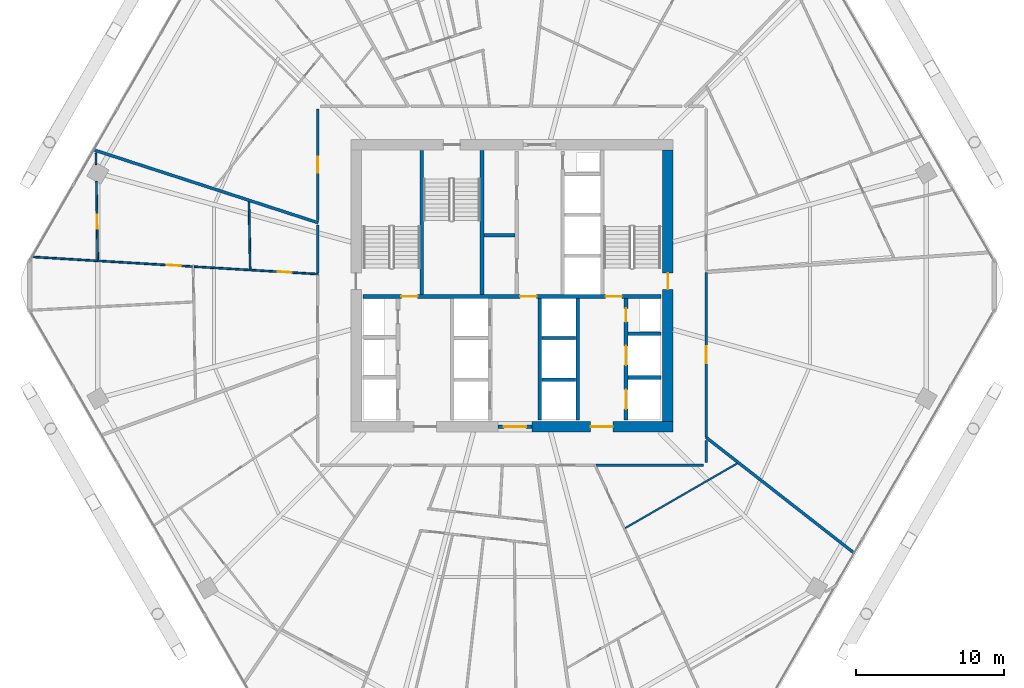
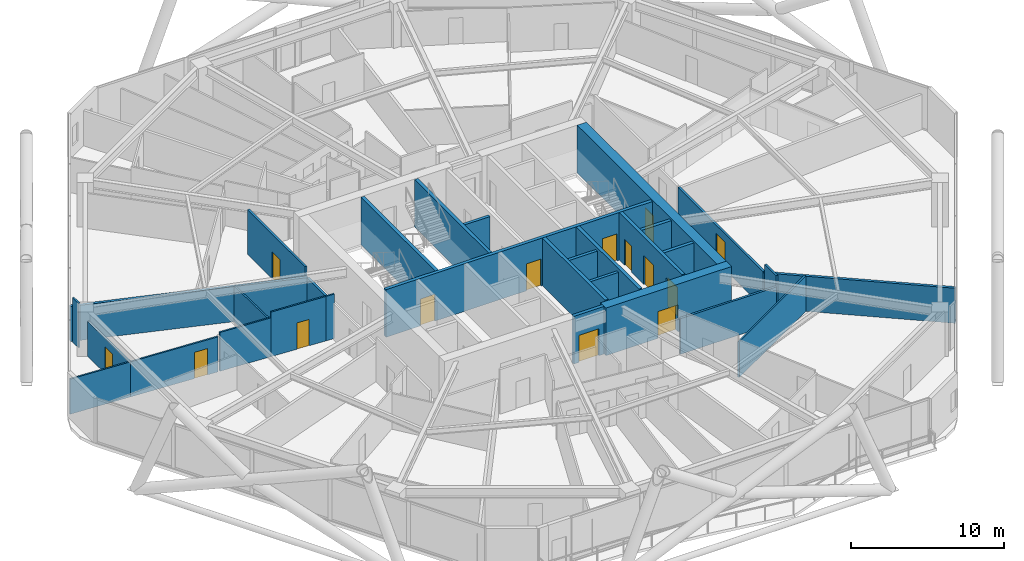
# One storey, part 29 of 35: 30 walls, 14 doors, 14 openings.
"""IFC4 building model written with IfcOpenShell, lengths in metres."""

from ifc_helpers import new_model, si_unit, direction, frame, frame_2d, origin, place, context, subcontext, project, spatial, rectangle, extrude, material, layer, layer_set, type_object, element, fill, save


model = new_model("IFC4")

# Units and contexts
model_context = context("Model", 3, precision=1e-05, world=origin(), true_north=direction((0.0, 1.0)))
body_context = subcontext(model_context, "Body", "Model", "MODEL_VIEW")
ifc_project = project(units=[si_unit("LENGTHUNIT", "METRE"), si_unit("AREAUNIT", "SQUARE_METRE"), si_unit("VOLUMEUNIT", "CUBIC_METRE"), si_unit("PLANEANGLEUNIT", "RADIAN"), si_unit("MASSUNIT", "GRAM", prefix="KILO")], contexts=[model_context])

# Site, building, storey
site_placement = place(None, origin())
site = spatial("IfcSite", under=ifc_project, at=site_placement, CompositionType="ELEMENT")
building_placement = place(site_placement, origin())
building = spatial("IfcBuilding", under=site, at=building_placement, Name="Zuhravey Tower", CompositionType="ELEMENT")
storey_placement = place(building_placement, frame((0.0, 0.0, 92.39990234375)))
storey = spatial("IfcBuildingStorey", under=building, at=storey_placement, Name="L22", CompositionType="ELEMENT", Elevation=92.39990234375)

# Wall, opening, door
ifc_material_1 = material(Name="Concrete C60/75", Category="concrete")
ifc_layer_1 = layer(ifc_material_1, 0.699951171875)
ifc_layer_set_1 = layer_set([ifc_layer_1], Name="Concrete C60/75")
wall_type_1 = type_object("IfcWallType", Name="Core Shear Wall 700", PredefinedType="SHEAR", material=ifc_layer_set_1)
wall_1_placement = place(storey_placement, frame((37.35009765625, 22.5, 0.0), z_axis=(0.0, 0.0, 1.0), x_axis=(1.0, 0.0, 0.0)))
wall_1 = element("IfcWall", 1, at=wall_1_placement, inside=storey, type_object=wall_type_1, Name="L22 South-East Core Shear Wall CW70", PredefinedType="SHEAR", context=body_context, shape_type="SweptSolid", body=[
    extrude(rectangle(XDim=9.5, YDim=0.699951171875, at=frame_2d((4.75, 0.0))), origin(), (0.0, 0.0, 1.0), 3.800048828125),
])
opening_1_placement = place(wall_1_placement, frame((3.949951171875, 0.0, 0.0)))
opening_1 = element("IfcOpeningElement", 2, at=opening_1_placement, cuts=wall_1, Name="Opening FFD1", PredefinedType="OPENING", context=body_context, shape_type="SweptSolid", body=[
    extrude(rectangle(XDim=1.5, YDim=2.14990234375, at=frame_2d((0.75, 1.074951171875))), frame((0.0, 0.362060546875, 0.0), z_axis=(0.0, -1.0, 0.0), x_axis=(1.0, 0.0, 0.0)), (0.0, 0.0, 1.0), 0.723876953125),
])
ifc_material_2 = material(Name="Galvanised fire-rated steel leaf", Category="steel")
door_type_1 = type_object("IfcDoorType", Name="Firefighting Lobby Double Door 1500x2150", OperationType="DOUBLE_DOOR_SINGLE_SWING", PredefinedType="DOOR", material=ifc_material_2)
door_1_placement = place(opening_1_placement, origin())
door_1 = element("IfcDoor", 3, at=door_1_placement, inside=storey, type_object=door_type_1, Name="L22 Firefighting Lobby East Door", OperationType="DOUBLE_DOOR_SINGLE_SWING", OverallHeight=2.14990234375, OverallWidth=1.5, PredefinedType="DOOR", context=body_context, shape_type="SweptSolid", body=[
    extrude(rectangle(XDim=1.5, YDim=2.14990234375, at=frame_2d((0.75, 1.074951171875))), frame((0.0, 0.02490234375, 0.0), z_axis=(0.0, -1.0, 0.0), x_axis=(1.0, 0.0, 0.0)), (0.0, 0.0, 1.0), 0.050048828125),
])
fill(opening_1, door_1)

wall_2_placement = place(storey_placement, frame((46.5, 22.85009765625, 0.0), z_axis=(0.0, 0.0, 1.0), x_axis=(0.0, 1.0, 0.0)))
wall_2 = element("IfcWall", 4, at=wall_2_placement, inside=storey, type_object=wall_type_1, Name="L22 East Core Shear Wall CW70", PredefinedType="SHEAR", context=body_context, shape_type="SweptSolid", body=[
    extrude(rectangle(XDim=18.2998046875, YDim=0.699951171875, at=frame_2d((9.14990234375, 0.0))), origin(), (0.0, 0.0, 1.0), 3.800048828125),
])
opening_2_placement = place(wall_2_placement, frame((8.89990234375, 0.0, 0.0)))
opening_2 = element("IfcOpeningElement", 5, at=opening_2_placement, cuts=wall_2, Name="Opening STD1", PredefinedType="OPENING", context=body_context, shape_type="SweptSolid", body=[
    extrude(rectangle(XDim=1.10009765625, YDim=2.14990234375, at=frame_2d((0.550048828125, 1.074951171875))), frame((0.0, 0.362060546875, 0.0), z_axis=(0.0, -1.0, 0.0), x_axis=(1.0, 0.0, 0.0)), (0.0, 0.0, 1.0), 0.723876953125),
])
door_type_2 = type_object("IfcDoorType", Name="Protected Stair Fire Door 1100x2150", OperationType="NOTDEFINED", PredefinedType="USERDEFINED", material=ifc_material_2)
door_2_placement = place(opening_2_placement, origin())
door_2 = element("IfcDoor", 6, at=door_2_placement, inside=storey, type_object=door_type_2, Name="L22 Stair ST2 Door", ObjectType="EXITDOOR", OperationType="SINGLE_SWING_LEFT", OverallHeight=2.14990234375, OverallWidth=1.10009765625, PredefinedType="USERDEFINED", context=body_context, shape_type="SweptSolid", body=[
    extrude(rectangle(XDim=1.10009765625, YDim=2.14990234375, at=frame_2d((0.550048828125, 1.074951171875))), frame((0.0, 0.02490234375, 0.0), z_axis=(0.0, -1.0, 0.0), x_axis=(1.0, 0.0, 0.0)), (0.0, 0.0, 1.0), 0.050048828125),
])
fill(opening_2, door_2)

ifc_material_3 = material(Name="Gypsum fire-rated stud partition")
ifc_layer_2 = layer(ifc_material_3, 0.159912109375)
ifc_layer_set_2 = layer_set([ifc_layer_2], Name="Gypsum fire-rated stud partition")
wall_type_2 = type_object("IfcWallType", Name="Corridor Fire Partition 160", PredefinedType="PARTITIONING", material=ifc_layer_set_2)
wall_3_placement = place(storey_placement, frame((22.919921875, 43.89990234375, 0.0), z_axis=(0.0, 0.0, 1.0), x_axis=(0.0, -1.0, 0.0)))
wall_3 = element("IfcWall", 7, at=wall_3_placement, inside=storey, type_object=wall_type_2, Name="L22 IW16 Partition 040", PredefinedType="PARTITIONING", context=body_context, shape_type="SweptSolid", body=[
    extrude(rectangle(XDim=7.502197265625, YDim=0.159912109375, at=frame_2d((3.7509765625, 0.0))), origin(), (0.0, 0.0, 1.0), 3.550048828125),
])
opening_3_placement = place(wall_3_placement, frame((3.226318359375, 0.0, 0.0)))
opening_3 = element("IfcOpeningElement", 8, at=opening_3_placement, cuts=wall_3, Name="Opening APD1", PredefinedType="OPENING", context=body_context, shape_type="SweptSolid", body=[
    extrude(rectangle(XDim=1.050048828125, YDim=2.14990234375, at=frame_2d((0.52490234375, 1.074951171875))), frame((0.0, 0.092041015625, 0.0), z_axis=(0.0, -1.0, 0.0), x_axis=(1.0, 0.0, 0.0)), (0.0, 0.0, 1.0), 0.183837890625),
])
ifc_material_4 = material(Name="Solid-core oak fire-rated leaf")
door_type_3 = type_object("IfcDoorType", Name="Apartment Entrance Fire Door 1050x2150", OperationType="NOTDEFINED", PredefinedType="DOOR", material=ifc_material_4)
door_3_placement = place(opening_3_placement, frame((1.050048828125, 0.0, 0.0), z_axis=(0.0, 0.0, 1.0), x_axis=(-1.0, 0.0, 0.0)))
door_3 = element("IfcDoor", 9, at=door_3_placement, inside=storey, type_object=door_type_3, Name="L22 Door 040.1", OperationType="SINGLE_SWING_RIGHT", OverallHeight=2.14990234375, OverallWidth=1.050048828125, PredefinedType="DOOR", context=body_context, shape_type="SweptSolid", body=[
    extrude(rectangle(XDim=1.050048828125, YDim=2.14990234375, at=frame_2d((0.52490234375, 1.074951171875))), frame((0.0, 0.02490234375, 0.0), z_axis=(0.0, -1.0, 0.0), x_axis=(1.0, 0.0, 0.0)), (0.0, 0.0, 1.0), 0.050048828125),
])
fill(opening_3, door_3)

wall_4_placement = place(storey_placement, frame((49.080078125, 21.80615234375, 0.0), z_axis=(0.0, 0.0, 1.0), x_axis=(0.0, 1.0, 0.0)))
wall_4 = element("IfcWall", 10, at=wall_4_placement, inside=storey, type_object=wall_type_2, Name="L22 IW16 Partition 061", PredefinedType="PARTITIONING", context=body_context, shape_type="SweptSolid", body=[
    extrude(rectangle(XDim=11.08837890625, YDim=0.159912109375, at=frame_2d((5.544189453125, 0.0))), origin(), (0.0, 0.0, 1.0), 2.85009765625),
])
opening_4_placement = place(wall_4_placement, frame((4.96923828125, 0.0, 0.0)))
opening_4 = element("IfcOpeningElement", 11, at=opening_4_placement, cuts=wall_4, Name="Opening CLD1", PredefinedType="OPENING", context=body_context, shape_type="SweptSolid", body=[
    extrude(rectangle(XDim=1.14990234375, YDim=2.199951171875, at=frame_2d((0.574951171875, 1.10009765625))), frame((0.0, 0.092041015625, 0.0), z_axis=(0.0, -1.0, 0.0), x_axis=(1.0, 0.0, 0.0)), (0.0, 0.0, 1.0), 0.183837890625),
])
ifc_material_5 = material(Name="Acoustic timber leaf with vision lite", Category="wood")
door_type_4 = type_object("IfcDoorType", Name="Classroom Acoustic Door 1150x2200", OperationType="NOTDEFINED", PredefinedType="DOOR", material=ifc_material_5)
door_4_placement = place(opening_4_placement, frame((1.14990234375, 0.0, 0.0), z_axis=(0.0, 0.0, 1.0), x_axis=(-1.0, 0.0, 0.0)))
door_4 = element("IfcDoor", 12, at=door_4_placement, inside=storey, type_object=door_type_4, Name="L22 Door 061.1", OperationType="SINGLE_SWING_LEFT", OverallHeight=2.199951171875, OverallWidth=1.14990234375, PredefinedType="DOOR", context=body_context, shape_type="SweptSolid", body=[
    extrude(rectangle(XDim=1.14990234375, YDim=2.199951171875, at=frame_2d((0.574951171875, 1.10009765625))), frame((0.0, 0.02490234375, 0.0), z_axis=(0.0, -1.0, 0.0), x_axis=(1.0, 0.0, 0.0)), (0.0, 0.0, 1.0), 0.050048828125),
])
fill(opening_4, door_4)

# Walls
wall_5_placement = place(storey_placement, frame((22.919921875, 36.10302734375, 0.0), z_axis=(0.0, 0.0, 1.0), x_axis=(0.0, -1.0, 0.0)))
element("IfcWall", 13, at=wall_5_placement, inside=storey, type_object=wall_type_2, Name="L22 IW16 Partition 126", PredefinedType="PARTITIONING", context=body_context, shape_type="SweptSolid", body=[
    extrude(rectangle(XDim=3.24853515625, YDim=0.159912109375, at=frame_2d((1.624267578125, 0.0))), origin(), (0.0, 0.0, 1.0), 2.85009765625),
])
wall_6_placement = place(storey_placement, frame((41.6669921875, 19.919921875, 0.0), z_axis=(0.0, 0.0, 1.0), x_axis=(1.0, 0.0, 0.0)))
element("IfcWall", 14, at=wall_6_placement, inside=storey, type_object=wall_type_2, Name="L22 IW16 Partition 131", PredefinedType="PARTITIONING", context=body_context, shape_type="SweptSolid", body=[
    extrude(rectangle(XDim=7.23291015625, YDim=0.159912109375, at=frame_2d((3.616455078125, 0.0))), origin(), (0.0, 0.0, 1.0), 2.85009765625),
])
wall_7_placement = place(storey_placement, frame((49.080078125, 20.10009765625, 0.0), z_axis=(0.0, 0.0, 1.0), x_axis=(0.0, 1.0, 0.0)))
element("IfcWall", 15, at=wall_7_placement, inside=storey, type_object=wall_type_2, Name="L22 IW16 Partition 132", PredefinedType="PARTITIONING", context=body_context, shape_type="SweptSolid", body=[
    extrude(rectangle(XDim=1.469970703125, YDim=0.159912109375, at=frame_2d((0.73486328125, 0.0))), origin(), (0.0, 0.0, 1.0), 3.550048828125),
])

# Wall, opening, door
ifc_material_6 = material(Name="Concrete C50/60", Category="concrete")
ifc_layer_3 = layer(ifc_material_6, 0.25)
ifc_layer_set_3 = layer_set([ifc_layer_3], Name="Concrete C50/60")
wall_type_3 = type_object("IfcWallType", Name="Firefighting Shaft & Stair Wall 250", PredefinedType="SOLIDWALL", material=ifc_layer_set_3)
wall_8_placement = place(storey_placement, frame((35.06005859375, 22.5, 0.0), z_axis=(0.0, 0.0, 1.0), x_axis=(1.0, 0.0, 0.0)))
wall_8 = element("IfcWall", 16, at=wall_8_placement, inside=storey, type_object=wall_type_3, Name="L22 FW25 Shaft Wall 001", PredefinedType="SOLIDWALL", context=body_context, shape_type="SweptSolid", body=[
    extrude(rectangle(XDim=2.280029296875, YDim=0.25, at=frame_2d((1.14013671875, 0.0))), origin(), (0.0, 0.0, 1.0), 3.800048828125),
])
opening_5_placement = place(wall_8_placement, frame((0.389892578125, 0.0, 0.0)))
opening_5 = element("IfcOpeningElement", 17, at=opening_5_placement, cuts=wall_8, Name="Opening FFD1", PredefinedType="OPENING", context=body_context, shape_type="SweptSolid", body=[
    extrude(rectangle(XDim=1.5, YDim=2.14990234375, at=frame_2d((0.75, 1.074951171875))), frame((0.0, 0.136962890625, 0.0), z_axis=(0.0, -1.0, 0.0), x_axis=(1.0, 0.0, 0.0)), (0.0, 0.0, 1.0), 0.27392578125),
])
door_5_placement = place(opening_5_placement, frame((1.5, 0.0, 0.0), z_axis=(0.0, 0.0, 1.0), x_axis=(-1.0, 0.0, 0.0)))
door_5 = element("IfcDoor", 18, at=door_5_placement, inside=storey, type_object=door_type_1, Name="L22 South Lift Lobby Exit Door", OperationType="DOUBLE_DOOR_SINGLE_SWING", OverallHeight=2.14990234375, OverallWidth=1.5, PredefinedType="DOOR", context=body_context, shape_type="SweptSolid", body=[
    extrude(rectangle(XDim=1.5, YDim=2.14990234375, at=frame_2d((0.75, 1.074951171875))), frame((0.0, 0.02490234375, 0.0), z_axis=(0.0, -1.0, 0.0), x_axis=(1.0, 0.0, 0.0)), (0.0, 0.0, 1.0), 0.050048828125),
])
fill(opening_5, door_5)

# Wall, openings, doors
wall_9_placement = place(storey_placement, frame((25.949951171875, 31.27490234375, 0.0), z_axis=(0.0, 0.0, 1.0), x_axis=(1.0, 0.0, 0.0)))
wall_9 = element("IfcWall", 19, at=wall_9_placement, inside=storey, type_object=wall_type_3, Name="L22 FW25 Shaft Wall 003", PredefinedType="SOLIDWALL", context=body_context, shape_type="SweptSolid", body=[
    extrude(rectangle(XDim=20.10009765625, YDim=0.25, at=frame_2d((10.050048828125, 0.0))), origin(), (0.0, 0.0, 1.0), 3.800048828125),
])
opening_6_placement = place(wall_9_placement, frame((2.60009765625, 0.0, 0.0)))
opening_6 = element("IfcOpeningElement", 20, at=opening_6_placement, cuts=wall_9, Name="Opening STD1", PredefinedType="OPENING", context=body_context, shape_type="SweptSolid", body=[
    extrude(rectangle(XDim=1.10009765625, YDim=2.14990234375, at=frame_2d((0.550048828125, 1.074951171875))), frame((0.0, 0.136962890625, 0.0), z_axis=(0.0, -1.0, 0.0), x_axis=(1.0, 0.0, 0.0)), (0.0, 0.0, 1.0), 0.27392578125),
])
opening_7_placement = place(wall_9_placement, frame((10.60009765625, 0.0, 0.0)))
opening_7 = element("IfcOpeningElement", 21, at=opening_7_placement, cuts=wall_9, Name="Opening STD1", PredefinedType="OPENING", context=body_context, shape_type="SweptSolid", body=[
    extrude(rectangle(XDim=1.10009765625, YDim=2.14990234375, at=frame_2d((0.550048828125, 1.074951171875))), frame((0.0, 0.136962890625, 0.0), z_axis=(0.0, -1.0, 0.0), x_axis=(1.0, 0.0, 0.0)), (0.0, 0.0, 1.0), 0.27392578125),
])
opening_8_placement = place(wall_9_placement, frame((16.35009765625, 0.0, 0.0)))
opening_8 = element("IfcOpeningElement", 22, at=opening_8_placement, cuts=wall_9, Name="Opening STD1", PredefinedType="OPENING", context=body_context, shape_type="SweptSolid", body=[
    extrude(rectangle(XDim=1.10009765625, YDim=2.14990234375, at=frame_2d((0.550048828125, 1.074951171875))), frame((0.0, 0.136962890625, 0.0), z_axis=(0.0, -1.0, 0.0), x_axis=(1.0, 0.0, 0.0)), (0.0, 0.0, 1.0), 0.27392578125),
])
door_6_placement = place(opening_6_placement, origin())
door_6 = element("IfcDoor", 23, at=door_6_placement, inside=storey, type_object=door_type_2, Name="L22 FFL-W to ST1 Door", ObjectType="EXITDOOR", OperationType="SINGLE_SWING_LEFT", OverallHeight=2.14990234375, OverallWidth=1.10009765625, PredefinedType="USERDEFINED", context=body_context, shape_type="SweptSolid", body=[
    extrude(rectangle(XDim=1.10009765625, YDim=2.14990234375, at=frame_2d((0.550048828125, 1.074951171875))), frame((0.0, 0.02490234375, 0.0), z_axis=(0.0, -1.0, 0.0), x_axis=(1.0, 0.0, 0.0)), (0.0, 0.0, 1.0), 0.050048828125),
])
fill(opening_6, door_6)
door_7_placement = place(opening_7_placement, origin())
door_7 = element("IfcDoor", 24, at=door_7_placement, inside=storey, type_object=door_type_2, Name="L22 Core Lobby Link Door", ObjectType="EXITDOOR", OperationType="SINGLE_SWING_RIGHT", OverallHeight=2.14990234375, OverallWidth=1.10009765625, PredefinedType="USERDEFINED", context=body_context, shape_type="SweptSolid", body=[
    extrude(rectangle(XDim=1.10009765625, YDim=2.14990234375, at=frame_2d((0.550048828125, 1.074951171875))), frame((0.0, 0.02490234375, 0.0), z_axis=(0.0, -1.0, 0.0), x_axis=(1.0, 0.0, 0.0)), (0.0, 0.0, 1.0), 0.050048828125),
])
fill(opening_7, door_7)
door_8_placement = place(opening_8_placement, origin())
door_8 = element("IfcDoor", 25, at=door_8_placement, inside=storey, type_object=door_type_2, Name="L22 FFL-E to ST2 Door", ObjectType="EXITDOOR", OperationType="SINGLE_SWING_LEFT", OverallHeight=2.14990234375, OverallWidth=1.10009765625, PredefinedType="USERDEFINED", context=body_context, shape_type="SweptSolid", body=[
    extrude(rectangle(XDim=1.10009765625, YDim=2.14990234375, at=frame_2d((0.550048828125, 1.074951171875))), frame((0.0, 0.02490234375, 0.0), z_axis=(0.0, -1.0, 0.0), x_axis=(1.0, 0.0, 0.0)), (0.0, 0.0, 1.0), 0.050048828125),
])
fill(opening_8, door_8)

# Walls
for number, where, z_axis, x_axis, name in (
    (26, (29.925048828125, 31.39990234375, 0.0), (0.0, 0.0, 1.0), (0.0, 1.0, 0.0), "L22 FW25 Shaft Wall 004"),
    (27, (33.97509765625, 31.39990234375, 0.0), (0.0, 0.0, 1.0), (0.0, 1.0, 0.0), "L22 FW25 Shaft Wall 005"),
):
    element("IfcWall", number, at=place(storey_placement, frame(where, z_axis=z_axis, x_axis=x_axis)), inside=storey, type_object=wall_type_3, Name=name, PredefinedType="SOLIDWALL", context=body_context, shape_type="SweptSolid", body=[
        extrude(rectangle(XDim=9.7001953125, YDim=0.25, at=frame_2d((4.85009765625, 0.0))), origin(), (0.0, 0.0, 1.0), 3.800048828125),
    ])
for number, where, z_axis, x_axis, name in (
    (28, (37.875, 22.949951171875, 0.0), (0.0, 0.0, 1.0), (0.0, 1.0, 0.0), "L22 FW25 Shaft Wall 014"),
    (29, (40.425048828125, 22.949951171875, 0.0), (0.0, 0.0, 1.0), (0.0, 1.0, 0.0), "L22 FW25 Shaft Wall 015"),
):
    element("IfcWall", number, at=place(storey_placement, frame(where, z_axis=z_axis, x_axis=x_axis)), inside=storey, type_object=wall_type_3, Name=name, PredefinedType="SOLIDWALL", context=body_context, shape_type="SweptSolid", body=[
        extrude(rectangle(XDim=8.199951171875, YDim=0.25, at=frame_2d((4.10009765625, 0.0))), origin(), (0.0, 0.0, 1.0), 3.800048828125),
    ])
for number, where, z_axis, x_axis, name in (
    (30, (43.800048828125, 25.824951171875, 0.0), (0.0, 0.0, 1.0), (1.0, 0.0, 0.0), "L22 FW25 Shaft Wall 016"),
    (31, (43.800048828125, 28.77490234375, 0.0), (0.0, 0.0, 1.0), (1.0, 0.0, 0.0), "L22 FW25 Shaft Wall 017"),
):
    element("IfcWall", number, at=place(storey_placement, frame(where, z_axis=z_axis, x_axis=x_axis)), inside=storey, type_object=wall_type_3, Name=name, PredefinedType="SOLIDWALL", context=body_context, shape_type="SweptSolid", body=[
        extrude(rectangle(XDim=2.25, YDim=0.25, at=frame_2d((1.125, 0.0))), origin(), (0.0, 0.0, 1.0), 3.800048828125),
    ])

# Wall, openings, doors
wall_10_placement = place(storey_placement, frame((43.675048828125, 22.949951171875, 0.0), z_axis=(0.0, 0.0, 1.0), x_axis=(0.0, 1.0, 0.0)))
wall_10 = element("IfcWall", 32, at=wall_10_placement, inside=storey, type_object=wall_type_3, Name="L22 FW25 Shaft Wall 018", PredefinedType="SOLIDWALL", context=body_context, shape_type="SweptSolid", body=[
    extrude(rectangle(XDim=8.199951171875, YDim=0.25, at=frame_2d((4.10009765625, 0.0))), origin(), (0.0, 0.0, 1.0), 3.800048828125),
])
opening_9_placement = place(wall_10_placement, frame((0.75, 0.0, 0.0)))
opening_9 = element("IfcOpeningElement", 33, at=opening_9_placement, cuts=wall_10, Name="Opening LD2", PredefinedType="OPENING", context=body_context, shape_type="SweptSolid", body=[
    extrude(rectangle(XDim=1.300048828125, YDim=2.300048828125, at=frame_2d((0.64990234375, 1.14990234375))), frame((0.0, 0.136962890625, 0.0), z_axis=(0.0, -1.0, 0.0), x_axis=(1.0, 0.0, 0.0)), (0.0, 0.0, 1.0), 0.27392578125),
])
opening_10_placement = place(wall_10_placement, frame((3.699951171875, 0.0, 0.0)))
opening_10 = element("IfcOpeningElement", 34, at=opening_10_placement, cuts=wall_10, Name="Opening LD2", PredefinedType="OPENING", context=body_context, shape_type="SweptSolid", body=[
    extrude(rectangle(XDim=1.300048828125, YDim=2.300048828125, at=frame_2d((0.64990234375, 1.14990234375))), frame((0.0, 0.136962890625, 0.0), z_axis=(0.0, -1.0, 0.0), x_axis=(1.0, 0.0, 0.0)), (0.0, 0.0, 1.0), 0.27392578125),
])
opening_11_placement = place(wall_10_placement, frame((6.6201171875, 0.0, 0.0)))
opening_11 = element("IfcOpeningElement", 35, at=opening_11_placement, cuts=wall_10, Name="Opening RSD1", PredefinedType="OPENING", context=body_context, shape_type="SweptSolid", body=[
    extrude(rectangle(XDim=0.89990234375, YDim=2.10009765625, at=frame_2d((0.449951171875, 1.050048828125))), frame((0.0, 0.136962890625, 0.0), z_axis=(0.0, -1.0, 0.0), x_axis=(1.0, 0.0, 0.0)), (0.0, 0.0, 1.0), 0.27392578125),
])
ifc_material_7 = material(Name="Brushed stainless steel", Category="steel")
door_type_5 = type_object("IfcDoorType", Name="Freight & Stretcher Lift Sliding Door 1300x2300", OperationType="DOUBLE_DOOR_SLIDING", PredefinedType="DOOR", material=ifc_material_7)
door_9_placement = place(opening_9_placement, origin())
door_9 = element("IfcDoor", 36, at=door_9_placement, inside=storey, type_object=door_type_5, Name="L22 Lift FF2 Landing Door", OperationType="DOUBLE_DOOR_SLIDING", OverallHeight=2.300048828125, OverallWidth=1.300048828125, PredefinedType="DOOR", context=body_context, shape_type="SweptSolid", body=[
    extrude(rectangle(XDim=1.300048828125, YDim=2.300048828125, at=frame_2d((0.64990234375, 1.14990234375))), frame((0.0, 0.02490234375, 0.0), z_axis=(0.0, -1.0, 0.0), x_axis=(1.0, 0.0, 0.0)), (0.0, 0.0, 1.0), 0.050048828125),
])
fill(opening_9, door_9)
door_10_placement = place(opening_10_placement, origin())
door_10 = element("IfcDoor", 37, at=door_10_placement, inside=storey, type_object=door_type_5, Name="L22 Lift SV1 Landing Door", OperationType="DOUBLE_DOOR_SLIDING", OverallHeight=2.300048828125, OverallWidth=1.300048828125, PredefinedType="DOOR", context=body_context, shape_type="SweptSolid", body=[
    extrude(rectangle(XDim=1.300048828125, YDim=2.300048828125, at=frame_2d((0.64990234375, 1.14990234375))), frame((0.0, 0.02490234375, 0.0), z_axis=(0.0, -1.0, 0.0), x_axis=(1.0, 0.0, 0.0)), (0.0, 0.0, 1.0), 0.050048828125),
])
fill(opening_10, door_10)
ifc_material_8 = material(Name="Galvanised fire-rated steel access leaf", Category="steel")
door_type_6 = type_object("IfcDoorType", Name="Riser & Shaft Access Fire Door 900x2100", OperationType="NOTDEFINED", PredefinedType="DOOR", material=ifc_material_8)
door_11_placement = place(opening_11_placement, origin())
door_11 = element("IfcDoor", 38, at=door_11_placement, inside=storey, type_object=door_type_6, Name="L22 Plumbing Riser Door", OperationType="SINGLE_SWING_LEFT", OverallHeight=2.10009765625, OverallWidth=0.89990234375, PredefinedType="DOOR", context=body_context, shape_type="SweptSolid", body=[
    extrude(rectangle(XDim=0.89990234375, YDim=2.10009765625, at=frame_2d((0.449951171875, 1.050048828125))), frame((0.0, 0.02490234375, 0.0), z_axis=(0.0, -1.0, 0.0), x_axis=(1.0, 0.0, 0.0)), (0.0, 0.0, 1.0), 0.050048828125),
])
fill(opening_11, door_11)

# Walls
ifc_material_9 = material(Name="Gypsum double-stud party assembly")
ifc_layer_4 = layer(ifc_material_9, 0.199951171875)
ifc_layer_set_4 = layer_set([ifc_layer_4], Name="Gypsum double-stud party assembly")
wall_type_4 = type_object("IfcWallType", Name="Inter-Tenancy Party Wall 200", PredefinedType="PARTITIONING", material=ifc_layer_set_4)
wall_11_placement = place(storey_placement, frame((22.9599609375, 36.237060546875, 0.0), z_axis=(0.0, 0.0, 1.0), x_axis=(-0.95105675479, 0.309016260362, 0.0)))
element("IfcWall", 39, at=wall_11_placement, inside=storey, type_object=wall_type_4, Name="L22 IW20 Partition 094", PredefinedType="PARTITIONING", context=body_context, shape_type="SweptSolid", body=[
    extrude(rectangle(XDim=15.894287109375, YDim=0.199951171875, at=frame_2d((7.947265625, 0.0))), origin(), (0.0, 0.0, 1.0), 2.800048828125),
])
wall_12_placement = place(storey_placement, frame((49.04736328125, 21.80615234375, 0.0), z_axis=(0.0, 0.0, 1.0), x_axis=(0.788008325787, -0.61566458278, 0.0)))
element("IfcWall", 40, at=wall_12_placement, inside=storey, type_object=wall_type_4, Name="L22 IW20 Partition 118", PredefinedType="PARTITIONING", context=body_context, shape_type="SweptSolid", body=[
    extrude(rectangle(XDim=12.685546875, YDim=0.199951171875, at=frame_2d((6.3427734375, 0.0))), origin(), (0.0, 0.0, 1.0), 2.800048828125),
])
ifc_material_10 = material(Name="Gypsum acoustic stud assembly")
ifc_layer_5 = layer(ifc_material_10, 0.219970703125)
ifc_layer_set_5 = layer_set([ifc_layer_5], Name="Gypsum acoustic stud assembly")
wall_type_5 = type_object("IfcWallType", Name="School Acoustic Compartment Wall 220", PredefinedType="PARTITIONING", material=ifc_layer_set_5)
wall_13_placement = place(storey_placement, frame((34.10791015625, 35.39990234375, 0.0), z_axis=(0.0, 0.0, 1.0), x_axis=(1.0, 0.0, 0.0)))
element("IfcWall", 41, at=wall_13_placement, inside=storey, type_object=wall_type_5, Name="L22 IW22 Partition 062", PredefinedType="PARTITIONING", context=body_context, shape_type="SweptSolid", body=[
    extrude(rectangle(XDim=2.083984375, YDim=0.219970703125, at=frame_2d((1.0419921875, 0.0))), origin(), (0.0, 0.0, 1.0), 3.550048828125),
])
for number, where, z_axis, x_axis, name in (
    (42, (38.008056640625, 25.675048828125, 0.0), (0.0, 0.0, 1.0), (1.0, 0.0, 0.0), "L22 IW22 Partition 068"),
    (43, (38.008056640625, 28.47509765625, 0.0), (0.0, 0.0, 1.0), (1.0, 0.0, 0.0), "L22 IW22 Partition 069"),
):
    element("IfcWall", number, at=place(storey_placement, frame(where, z_axis=z_axis, x_axis=x_axis)), inside=storey, type_object=wall_type_5, Name=name, PredefinedType="PARTITIONING", context=body_context, shape_type="SweptSolid", body=[
        extrude(rectangle(XDim=2.283935546875, YDim=0.219970703125, at=frame_2d((1.14208984375, 0.0))), origin(), (0.0, 0.0, 1.0), 3.550048828125),
    ])

# Wall, opening, door
ifc_material_11 = material(Name="Gypsum metal-stud partition")
ifc_layer_6 = layer(ifc_material_11, 0.1201171875)
ifc_layer_set_6 = layer_set([ifc_layer_6], Name="Gypsum metal-stud partition")
wall_type_6 = type_object("IfcWallType", Name="Unit Internal Partition 120", PredefinedType="PARTITIONING", material=ifc_layer_set_6)
wall_14_placement = place(storey_placement, frame((22.35009765625, 32.820556640625, 0.0), z_axis=(0.0, 0.0, 1.0), x_axis=(-0.998200406844, 0.059966221967, 0.0)))
wall_14 = element("IfcWall", 44, at=wall_14_placement, inside=storey, type_object=wall_type_6, Name="L22 IW12 Partition 042", PredefinedType="PARTITIONING", context=body_context, shape_type="SweptSolid", body=[
    extrude(rectangle(XDim=4.014404296875, YDim=0.1201171875, at=frame_2d((2.00732421875, 0.0))), origin(), (0.0, 0.0, 1.0), 3.550048828125),
])
opening_12_placement = place(wall_14_placement, frame((1.236083984375, 0.0, 0.0)))
opening_12 = element("IfcOpeningElement", 45, at=opening_12_placement, cuts=wall_14, Name="Opening WCD1", PredefinedType="OPENING", context=body_context, shape_type="SweptSolid", body=[
    extrude(rectangle(XDim=0.89990234375, YDim=2.10009765625, at=frame_2d((0.449951171875, 1.050048828125))), frame((0.0, 0.072021484375, 0.0), z_axis=(0.0, -1.0, 0.0), x_axis=(1.0, 0.0, 0.0)), (0.0, 0.0, 1.0), 0.14404296875),
])
ifc_material_12 = material(Name="Moisture-resistant timber leaf", Category="wood")
door_type_7 = type_object("IfcDoorType", Name="Bathroom & WC Internal Door 900x2100", OperationType="NOTDEFINED", PredefinedType="DOOR", material=ifc_material_12)
door_12_placement = place(opening_12_placement, frame((0.89990234375, 0.0, 0.0), z_axis=(0.0, 0.0, 1.0), x_axis=(-1.0, 0.0, 0.0)))
door_12 = element("IfcDoor", 46, at=door_12_placement, inside=storey, type_object=door_type_7, Name="Apartment L22-05 Bathroom Door", OperationType="SINGLE_SWING_LEFT", OverallHeight=2.10009765625, OverallWidth=0.89990234375, PredefinedType="DOOR", context=body_context, shape_type="SweptSolid", body=[
    extrude(rectangle(XDim=0.89990234375, YDim=2.10009765625, at=frame_2d((0.449951171875, 1.050048828125))), frame((0.0, 0.02490234375, 0.0), z_axis=(0.0, -1.0, 0.0), x_axis=(1.0, 0.0, 0.0)), (0.0, 0.0, 1.0), 0.050048828125),
])
fill(opening_12, door_12)

# Wall
wall_15_placement = place(storey_placement, frame((18.343017578125, 33.061279296875, 0.0), z_axis=(0.0, 0.0, 1.0), x_axis=(-0.998197826963, 0.060009151347, 0.0)))
element("IfcWall", 47, at=wall_15_placement, inside=storey, type_object=wall_type_6, Name="L22 IW12 Partition 043", PredefinedType="PARTITIONING", context=body_context, shape_type="SweptSolid", body=[
    extrude(rectangle(XDim=3.7470703125, YDim=0.1201171875, at=frame_2d((1.87353515625, 0.0))), origin(), (0.0, 0.0, 1.0), 3.10009765625),
])

# Wall, opening, door
wall_16_placement = place(storey_placement, frame((14.466796875, 33.29443359375, 0.0), z_axis=(0.0, 0.0, 1.0), x_axis=(-0.998197493237, 0.060014702322, 0.0)))
wall_16 = element("IfcWall", 48, at=wall_16_placement, inside=storey, type_object=wall_type_6, Name="L22 IW12 Partition 044", PredefinedType="PARTITIONING", context=body_context, shape_type="SweptSolid", body=[
    extrude(rectangle(XDim=6.39892578125, YDim=0.1201171875, at=frame_2d((3.199462890625, 0.0))), origin(), (0.0, 0.0, 1.0), 2.800048828125),
])
opening_13_placement = place(wall_16_placement, frame((0.7578125, 0.0, 0.0)))
opening_13 = element("IfcOpeningElement", 49, at=opening_13_placement, cuts=wall_16, Name="Opening IND1", PredefinedType="OPENING", context=body_context, shape_type="SweptSolid", body=[
    extrude(rectangle(XDim=0.949951171875, YDim=2.10009765625, at=frame_2d((0.47509765625, 1.050048828125))), frame((0.0, 0.072021484375, 0.0), z_axis=(0.0, -1.0, 0.0), x_axis=(1.0, 0.0, 0.0)), (0.0, 0.0, 1.0), 0.14404296875),
])
ifc_material_13 = material(Name="Painted engineered timber leaf", Category="wood")
door_type_8 = type_object("IfcDoorType", Name="Internal Room & Bedroom Door 950x2100", OperationType="NOTDEFINED", PredefinedType="DOOR", material=ifc_material_13)
door_13_placement = place(opening_13_placement, frame((0.949951171875, 0.0, 0.0), z_axis=(0.0, 0.0, 1.0), x_axis=(-1.0, 0.0, 0.0)))
door_13 = element("IfcDoor", 50, at=door_13_placement, inside=storey, type_object=door_type_8, Name="Apartment L22-05 Home Office Door", OperationType="SINGLE_SWING_RIGHT", OverallHeight=2.10009765625, OverallWidth=0.949951171875, PredefinedType="DOOR", context=body_context, shape_type="SweptSolid", body=[
    extrude(rectangle(XDim=0.949951171875, YDim=2.10009765625, at=frame_2d((0.47509765625, 1.050048828125))), frame((0.0, 0.02490234375, 0.0), z_axis=(0.0, -1.0, 0.0), x_axis=(1.0, 0.0, 0.0)), (0.0, 0.0, 1.0), 0.050048828125),
])
fill(opening_13, door_13)

wall_17_placement = place(storey_placement, frame((8.010986328125, 39.021484375, 0.0), z_axis=(0.0, 0.0, 1.0), x_axis=(0.017441359141, -0.999847887927, 0.0)))
wall_17 = element("IfcWall", 51, at=wall_17_placement, inside=storey, type_object=wall_type_6, Name="L22 IW12 Partition 045", PredefinedType="PARTITIONING", context=body_context, shape_type="SweptSolid", body=[
    extrude(rectangle(XDim=5.277099609375, YDim=0.1201171875, at=frame_2d((2.638671875, 0.0))), origin(), (0.0, 0.0, 1.0), 2.800048828125),
])
opening_14_placement = place(wall_17_placement, frame((2.247802734375, 0.0, 0.0)))
opening_14 = element("IfcOpeningElement", 52, at=opening_14_placement, cuts=wall_17, Name="Opening IND1", PredefinedType="OPENING", context=body_context, shape_type="SweptSolid", body=[
    extrude(rectangle(XDim=0.949951171875, YDim=2.10009765625, at=frame_2d((0.47509765625, 1.050048828125))), frame((0.0, 0.072021484375, 0.0), z_axis=(0.0, -1.0, 0.0), x_axis=(1.0, 0.0, 0.0)), (0.0, 0.0, 1.0), 0.14404296875),
])
door_14_placement = place(opening_14_placement, frame((0.949951171875, 0.0, 0.0), z_axis=(0.0, 0.0, 1.0), x_axis=(-1.0, 0.0, 0.0)))
door_14 = element("IfcDoor", 53, at=door_14_placement, inside=storey, type_object=door_type_8, Name="Apartment L22-05 Bedroom 1 Door", OperationType="SINGLE_SWING_LEFT", OverallHeight=2.10009765625, OverallWidth=0.949951171875, PredefinedType="DOOR", context=body_context, shape_type="SweptSolid", body=[
    extrude(rectangle(XDim=0.949951171875, YDim=2.10009765625, at=frame_2d((0.47509765625, 1.050048828125))), frame((0.0, 0.02490234375, 0.0), z_axis=(0.0, -1.0, 0.0), x_axis=(1.0, 0.0, 0.0)), (0.0, 0.0, 1.0), 0.050048828125),
])
fill(opening_14, door_14)

# Walls
wall_18_placement = place(storey_placement, frame((22.96484375, 32.78369140625, 0.0), z_axis=(0.0, 0.0, 1.0), x_axis=(-0.998206740996, 0.059860690187, 0.0)))
element("IfcWall", 54, at=wall_18_placement, inside=storey, type_object=wall_type_6, Name="L22 IW12 Partition 096", PredefinedType="PARTITIONING", context=body_context, shape_type="SweptSolid", body=[
    extrude(rectangle(XDim=0.615966796875, YDim=0.1201171875, at=frame_2d((0.30810546875, 0.0))), origin(), (0.0, 0.0, 1.0), 3.550048828125),
])
wall_19_placement = place(storey_placement, frame((8.079345703125, 33.678466796875, 0.0), z_axis=(0.0, 0.0, 1.0), x_axis=(-0.998198281199, 0.060001595079, 0.0)))
element("IfcWall", 55, at=wall_19_placement, inside=storey, type_object=wall_type_6, Name="L22 IW12 Partition 097", PredefinedType="PARTITIONING", context=body_context, shape_type="SweptSolid", body=[
    extrude(rectangle(XDim=4.40673828125, YDim=0.1201171875, at=frame_2d((2.203369140625, 0.0))), origin(), (0.0, 0.0, 1.0), 2.800048828125),
])
wall_20_placement = place(storey_placement, frame((18.2880859375, 37.641357421875, 0.0), z_axis=(0.0, 0.0, 1.0), x_axis=(0.017415945178, -0.999848330925, 0.0)))
element("IfcWall", 56, at=wall_20_placement, inside=storey, type_object=wall_type_6, Name="L22 IW12 Partition 098", PredefinedType="PARTITIONING", context=body_context, shape_type="SweptSolid", body=[
    extrude(rectangle(XDim=4.513916015625, YDim=0.1201171875, at=frame_2d((2.2568359375, 0.0))), origin(), (0.0, 0.0, 1.0), 2.85009765625),
])
wall_21_placement = place(storey_placement, frame((7.9775390625, 40.940185546875, 0.0), z_axis=(0.0, 0.0, 1.0), x_axis=(0.017557656864, -0.999845852462, 0.0)))
element("IfcWall", 57, at=wall_21_placement, inside=storey, type_object=wall_type_6, Name="L22 IW12 Partition 099", PredefinedType="PARTITIONING", context=body_context, shape_type="SweptSolid", body=[
    extrude(rectangle(XDim=0.778564453125, YDim=0.1201171875, at=frame_2d((0.38916015625, 0.0))), origin(), (0.0, 0.0, 1.0), 3.550048828125),
])
wall_22_placement = place(storey_placement, frame((43.628662109375, 15.68212890625, 0.0), z_axis=(0.0, 0.0, 1.0), x_axis=(0.866026296779, 0.499998453285, 0.0)))
element("IfcWall", 58, at=wall_22_placement, inside=storey, type_object=wall_type_6, Name="L22 IW12 Partition 116", PredefinedType="PARTITIONING", context=body_context, shape_type="SweptSolid", body=[
    extrude(rectangle(XDim=8.72900390625, YDim=0.1201171875, at=frame_2d((4.364501953125, 0.0))), origin(), (0.0, 0.0, 1.0), 2.85009765625),
])

save(model, "model.ifc")
